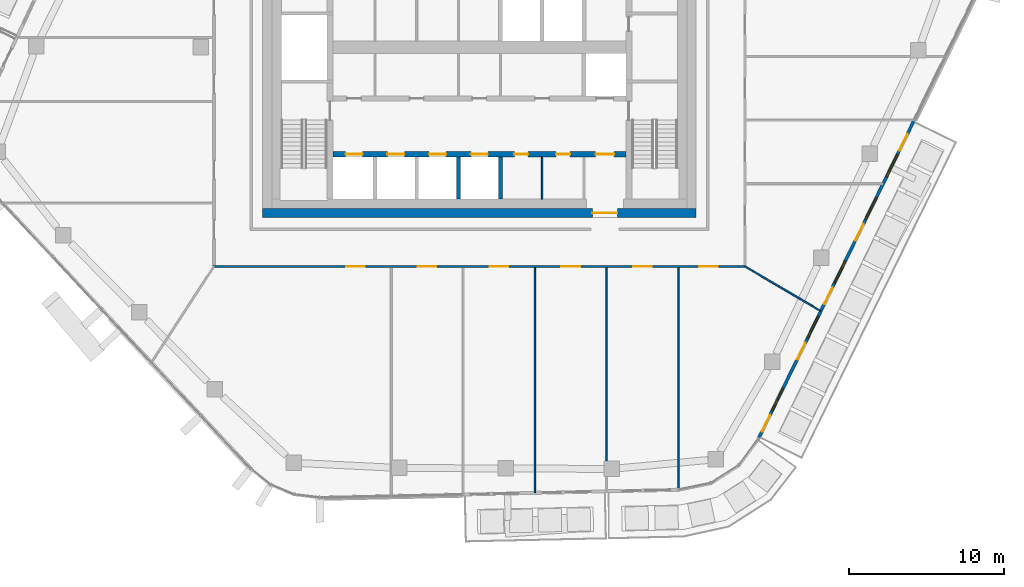
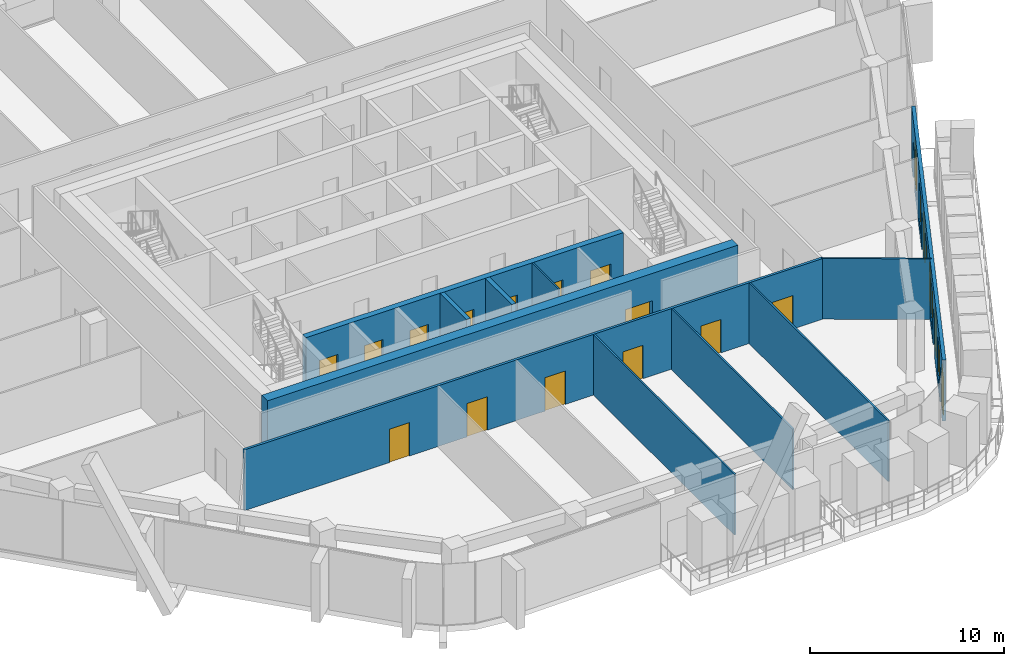
# One storey, part 13 of 23: 19 doors, 11 walls, 5 windows, 24 openings.
"""IFC4 building model written with IfcOpenShell, lengths in metres."""

from ifc_helpers import new_model, si_unit, direction, frame, frame_2d, origin, place, context, subcontext, project, spatial, rectangle, extrude, material, layer, layer_set, type_object, element, fill, save


model = new_model("IFC4")

# Units and contexts
model_context = context("Model", 3, precision=1e-05, world=origin(), true_north=direction((0.0, 1.0)))
body_context = subcontext(model_context, "Body", "Model", "MODEL_VIEW")
ifc_project = project(units=[si_unit("LENGTHUNIT", "METRE"), si_unit("AREAUNIT", "SQUARE_METRE"), si_unit("VOLUMEUNIT", "CUBIC_METRE"), si_unit("PLANEANGLEUNIT", "RADIAN"), si_unit("MASSUNIT", "GRAM", prefix="KILO")], contexts=[model_context])

# Site, building, storey
site_placement = place(None, origin())
site = spatial("IfcSite", under=ifc_project, at=site_placement, CompositionType="ELEMENT")
building_placement = place(site_placement, origin())
building = spatial("IfcBuilding", under=site, at=building_placement, Name="Dongbaek Canopy Tower", CompositionType="ELEMENT")
storey_placement = place(building_placement, frame((0.0, 0.0, 340.39990234375)))
storey = spatial("IfcBuildingStorey", under=building, at=storey_placement, Name="L73", CompositionType="ELEMENT", Elevation=340.39990234375)

# Wall, openings, doors
ifc_material_1 = material(Name="Concrete C60/75", Category="concrete")
ifc_layer_1 = layer(ifc_material_1, 0.35009765625)
ifc_layer_set_1 = layer_set([ifc_layer_1], Name="Core lobby wall 350 Concrete C60/75")
wall_type_1 = type_object("IfcWallType", Name="Core lobby wall 350 Concrete C60/75", PredefinedType="SHEAR", material=ifc_layer_set_1)
wall_1_placement = place(storey_placement, frame((9.449951171875, -6.89990234375, 0.0), z_axis=(0.0, 0.0, 1.0), x_axis=(-1.0, 0.0, 0.0)))
wall_1 = element("IfcWall", 1, at=wall_1_placement, inside=storey, type_object=wall_type_1, Name="Core wall", PredefinedType="SHEAR", context=body_context, shape_type="SweptSolid", body=[
    extrude(rectangle(XDim=18.89990234375, YDim=0.35009765625, at=frame_2d((9.449951171875, 0.0))), origin(), (0.0, 0.0, 1.0), 3.820068359375),
])
opening_1_placement = place(wall_1_placement, frame((17.0, 0.0, 0.0)))
opening_1 = element("IfcOpeningElement", 2, at=opening_1_placement, cuts=wall_1, Name="Opening L73-D034", PredefinedType="OPENING", context=body_context, shape_type="SweptSolid", body=[
    extrude(rectangle(XDim=1.10009765625, YDim=2.10009765625, at=frame_2d((0.550048828125, 1.050048828125))), frame((0.0, 0.18505859375, 0.0), z_axis=(0.0, -1.0, 0.0), x_axis=(1.0, 0.0, 0.0)), (0.0, 0.0, 1.0), 0.3701171875),
])
opening_2_placement = place(wall_1_placement, frame((14.300048828125, 0.0, 0.0)))
opening_2 = element("IfcOpeningElement", 3, at=opening_2_placement, cuts=wall_1, Name="Opening L73-D035", PredefinedType="OPENING", context=body_context, shape_type="SweptSolid", body=[
    extrude(rectangle(XDim=1.10009765625, YDim=2.10009765625, at=frame_2d((0.550048828125, 1.050048828125))), frame((0.0, 0.18505859375, 0.0), z_axis=(0.0, -1.0, 0.0), x_axis=(1.0, 0.0, 0.0)), (0.0, 0.0, 1.0), 0.3701171875),
])
opening_3_placement = place(wall_1_placement, frame((11.60009765625, 0.0, 0.0)))
opening_3 = element("IfcOpeningElement", 4, at=opening_3_placement, cuts=wall_1, Name="Opening L73-D036", PredefinedType="OPENING", context=body_context, shape_type="SweptSolid", body=[
    extrude(rectangle(XDim=1.10009765625, YDim=2.10009765625, at=frame_2d((0.550048828125, 1.050048828125))), frame((0.0, 0.18505859375, 0.0), z_axis=(0.0, -1.0, 0.0), x_axis=(1.0, 0.0, 0.0)), (0.0, 0.0, 1.0), 0.3701171875),
])
opening_4_placement = place(wall_1_placement, frame((8.89990234375, 0.0, 0.0)))
opening_4 = element("IfcOpeningElement", 5, at=opening_4_placement, cuts=wall_1, Name="Opening L73-D037", PredefinedType="OPENING", context=body_context, shape_type="SweptSolid", body=[
    extrude(rectangle(XDim=1.10009765625, YDim=2.10009765625, at=frame_2d((0.550048828125, 1.050048828125))), frame((0.0, 0.18505859375, 0.0), z_axis=(0.0, -1.0, 0.0), x_axis=(1.0, 0.0, 0.0)), (0.0, 0.0, 1.0), 0.3701171875),
])
opening_5_placement = place(wall_1_placement, frame((0.75, 0.0, 0.0)))
opening_5 = element("IfcOpeningElement", 6, at=opening_5_placement, cuts=wall_1, Name="Opening L73-D039", PredefinedType="OPENING", context=body_context, shape_type="SweptSolid", body=[
    extrude(rectangle(XDim=1.199951171875, YDim=2.10009765625, at=frame_2d((0.60009765625, 1.050048828125))), frame((0.0, 0.18505859375, 0.0), z_axis=(0.0, -1.0, 0.0), x_axis=(1.0, 0.0, 0.0)), (0.0, 0.0, 1.0), 0.3701171875),
])
opening_6_placement = place(wall_1_placement, frame((6.300048828125, 0.0, 0.0)))
opening_6 = element("IfcOpeningElement", 7, at=opening_6_placement, cuts=wall_1, Name="Opening L73-D050", PredefinedType="OPENING", context=body_context, shape_type="SweptSolid", body=[
    extrude(rectangle(XDim=0.89990234375, YDim=2.10009765625, at=frame_2d((0.449951171875, 1.050048828125))), frame((0.0, 0.18505859375, 0.0), z_axis=(0.0, -1.0, 0.0), x_axis=(1.0, 0.0, 0.0)), (0.0, 0.0, 1.0), 0.3701171875),
])
opening_7_placement = place(wall_1_placement, frame((3.60009765625, 0.0, 0.0)))
opening_7 = element("IfcOpeningElement", 8, at=opening_7_placement, cuts=wall_1, Name="Opening L73-D051", PredefinedType="OPENING", context=body_context, shape_type="SweptSolid", body=[
    extrude(rectangle(XDim=0.89990234375, YDim=2.10009765625, at=frame_2d((0.449951171875, 1.050048828125))), frame((0.0, 0.18505859375, 0.0), z_axis=(0.0, -1.0, 0.0), x_axis=(1.0, 0.0, 0.0)), (0.0, 0.0, 1.0), 0.3701171875),
])
ifc_material_2 = material(Name="Steel", Category="steel")
door_type_1 = type_object("IfcDoorType", Name="Core room door 900 x 2100", OperationType="SINGLE_SWING_LEFT", PredefinedType="DOOR", material=ifc_material_2)
door_1_placement = place(opening_6_placement, origin())
door_1 = element("IfcDoor", 9, at=door_1_placement, inside=storey, type_object=door_type_1, Name="Door L73-D050", OperationType="SINGLE_SWING_RIGHT", OverallHeight=2.10009765625, OverallWidth=0.89990234375, PredefinedType="DOOR", context=body_context, shape_type="SweptSolid", body=[
    extrude(rectangle(XDim=0.89990234375, YDim=2.10009765625, at=frame_2d((0.449951171875, 1.050048828125))), frame((0.0, 0.02490234375, 0.0), z_axis=(0.0, -1.0, 0.0), x_axis=(1.0, 0.0, 0.0)), (0.0, 0.0, 1.0), 0.050048828125),
])
fill(opening_6, door_1)
door_2_placement = place(opening_7_placement, origin())
door_2 = element("IfcDoor", 10, at=door_2_placement, inside=storey, type_object=door_type_1, Name="Door L73-D051", OperationType="SINGLE_SWING_LEFT", OverallHeight=2.10009765625, OverallWidth=0.89990234375, PredefinedType="DOOR", context=body_context, shape_type="SweptSolid", body=[
    extrude(rectangle(XDim=0.89990234375, YDim=2.10009765625, at=frame_2d((0.449951171875, 1.050048828125))), frame((0.0, 0.02490234375, 0.0), z_axis=(0.0, -1.0, 0.0), x_axis=(1.0, 0.0, 0.0)), (0.0, 0.0, 1.0), 0.050048828125),
])
fill(opening_7, door_2)
ifc_material_3 = material(Name="Steel", Category="steel")
door_type_2 = type_object("IfcDoorType", Name="Fire lobby door 1200 x 2100", OperationType="SINGLE_SWING_LEFT", PredefinedType="DOOR", material=ifc_material_3)
door_3_placement = place(opening_5_placement, origin())
door_3 = element("IfcDoor", 11, at=door_3_placement, inside=storey, type_object=door_type_2, Name="Door L73-D039", OperationType="SINGLE_SWING_LEFT", OverallHeight=2.10009765625, OverallWidth=1.199951171875, PredefinedType="DOOR", context=body_context, shape_type="SweptSolid", body=[
    extrude(rectangle(XDim=1.199951171875, YDim=2.10009765625, at=frame_2d((0.60009765625, 1.050048828125))), frame((0.0, 0.02490234375, 0.0), z_axis=(0.0, -1.0, 0.0), x_axis=(1.0, 0.0, 0.0)), (0.0, 0.0, 1.0), 0.050048828125),
])
fill(opening_5, door_3)
ifc_material_4 = material(Name="Stainless steel", Category="steel")
door_type_3 = type_object("IfcDoorType", Name="Lift landing door 1100 x 2100", OperationType="DOUBLE_DOOR_SLIDING", PredefinedType="DOOR", material=ifc_material_4)
door_4_placement = place(opening_1_placement, origin())
door_4 = element("IfcDoor", 12, at=door_4_placement, inside=storey, type_object=door_type_3, Name="Landing door HR1", OperationType="DOUBLE_DOOR_SLIDING", OverallHeight=2.10009765625, OverallWidth=1.10009765625, PredefinedType="DOOR", context=body_context, shape_type="SweptSolid", body=[
    extrude(rectangle(XDim=1.10009765625, YDim=2.10009765625, at=frame_2d((0.550048828125, 1.050048828125))), frame((0.0, 0.02490234375, 0.0), z_axis=(0.0, -1.0, 0.0), x_axis=(1.0, 0.0, 0.0)), (0.0, 0.0, 1.0), 0.050048828125),
])
fill(opening_1, door_4)
door_5_placement = place(opening_2_placement, origin())
door_5 = element("IfcDoor", 13, at=door_5_placement, inside=storey, type_object=door_type_3, Name="Landing door HR2", OperationType="DOUBLE_DOOR_SLIDING", OverallHeight=2.10009765625, OverallWidth=1.10009765625, PredefinedType="DOOR", context=body_context, shape_type="SweptSolid", body=[
    extrude(rectangle(XDim=1.10009765625, YDim=2.10009765625, at=frame_2d((0.550048828125, 1.050048828125))), frame((0.0, 0.02490234375, 0.0), z_axis=(0.0, -1.0, 0.0), x_axis=(1.0, 0.0, 0.0)), (0.0, 0.0, 1.0), 0.050048828125),
])
fill(opening_2, door_5)
door_6_placement = place(opening_3_placement, origin())
door_6 = element("IfcDoor", 14, at=door_6_placement, inside=storey, type_object=door_type_3, Name="Landing door HR3", OperationType="DOUBLE_DOOR_SLIDING", OverallHeight=2.10009765625, OverallWidth=1.10009765625, PredefinedType="DOOR", context=body_context, shape_type="SweptSolid", body=[
    extrude(rectangle(XDim=1.10009765625, YDim=2.10009765625, at=frame_2d((0.550048828125, 1.050048828125))), frame((0.0, 0.02490234375, 0.0), z_axis=(0.0, -1.0, 0.0), x_axis=(1.0, 0.0, 0.0)), (0.0, 0.0, 1.0), 0.050048828125),
])
fill(opening_3, door_6)
door_7_placement = place(opening_4_placement, origin())
door_7 = element("IfcDoor", 15, at=door_7_placement, inside=storey, type_object=door_type_3, Name="Landing door HR4", OperationType="DOUBLE_DOOR_SLIDING", OverallHeight=2.10009765625, OverallWidth=1.10009765625, PredefinedType="DOOR", context=body_context, shape_type="SweptSolid", body=[
    extrude(rectangle(XDim=1.10009765625, YDim=2.10009765625, at=frame_2d((0.550048828125, 1.050048828125))), frame((0.0, 0.02490234375, 0.0), z_axis=(0.0, -1.0, 0.0), x_axis=(1.0, 0.0, 0.0)), (0.0, 0.0, 1.0), 0.050048828125),
])
fill(opening_4, door_7)

# Wall, opening, door
ifc_material_5 = material(Name="Concrete C80/95", Category="concrete")
ifc_layer_2 = layer(ifc_material_5, 0.60009765625)
ifc_layer_set_2 = layer_set([ifc_layer_2], Name="Core outer wall 600 Concrete C80/95")
wall_type_2 = type_object("IfcWallType", Name="Core outer wall 600 Concrete C80/95", PredefinedType="SHEAR", material=ifc_layer_set_2)
wall_2_placement = place(storey_placement, frame((14.0, -10.699951171875, 0.0), z_axis=(0.0, 0.0, 1.0), x_axis=(-1.0, 0.0, 0.0)))
wall_2 = element("IfcWall", 16, at=wall_2_placement, inside=storey, type_object=wall_type_2, Name="Core wall", PredefinedType="SHEAR", context=body_context, shape_type="SweptSolid", body=[
    extrude(rectangle(XDim=28.0, YDim=0.60009765625, at=frame_2d((14.0, 0.0))), origin(), (0.0, 0.0, 1.0), 3.820068359375),
])
opening_8_placement = place(wall_2_placement, frame((5.10009765625, 0.0, 0.0)))
opening_8 = element("IfcOpeningElement", 17, at=opening_8_placement, cuts=wall_2, Name="Opening L73-D038", PredefinedType="OPENING", context=body_context, shape_type="SweptSolid", body=[
    extrude(rectangle(XDim=1.60009765625, YDim=2.10009765625, at=frame_2d((0.800048828125, 1.050048828125))), frame((0.0, 0.31005859375, 0.0), z_axis=(0.0, -1.0, 0.0), x_axis=(1.0, 0.0, 0.0)), (0.0, 0.0, 1.0), 0.6201171875),
])
ifc_material_6 = material(Name="Steel", Category="steel")
door_type_4 = type_object("IfcDoorType", Name="Core exit door 1600 x 2100", OperationType="DOUBLE_DOOR_SINGLE_SWING", PredefinedType="DOOR", material=ifc_material_6)
door_8_placement = place(opening_8_placement, origin())
door_8 = element("IfcDoor", 18, at=door_8_placement, inside=storey, type_object=door_type_4, Name="Core exit door", OperationType="DOUBLE_DOOR_SINGLE_SWING", OverallHeight=2.10009765625, OverallWidth=1.60009765625, PredefinedType="DOOR", context=body_context, shape_type="SweptSolid", body=[
    extrude(rectangle(XDim=1.60009765625, YDim=2.10009765625, at=frame_2d((0.800048828125, 1.050048828125))), frame((0.0, 0.02490234375, 0.0), z_axis=(0.0, -1.0, 0.0), x_axis=(1.0, 0.0, 0.0)), (0.0, 0.0, 1.0), 0.050048828125),
])
fill(opening_8, door_8)

# Wall, openings, doors
ifc_material_7 = material(Name="Gypsum board partition, steel stud, 2 x 15 mm fire board", Category="steel")
ifc_layer_3 = layer(ifc_material_7, 0.14990234375)
ifc_layer_set_3 = layer_set([ifc_layer_3], Name="Fire-rated partition 150 gypsum board")
wall_type_3 = type_object("IfcWallType", Name="Fire-rated partition 150 gypsum board", PredefinedType="PARTITIONING", material=ifc_layer_set_3)
wall_3_placement = place(storey_placement, frame((17.22509765625, -14.14990234375, 0.0), z_axis=(0.0, 0.0, 1.0), x_axis=(-1.0, 0.0, 0.0)))
wall_3 = element("IfcWall", 19, at=wall_3_placement, inside=storey, type_object=wall_type_3, Name="Corridor partition", PredefinedType="PARTITIONING", context=body_context, shape_type="SweptSolid", body=[
    extrude(rectangle(XDim=34.4501953125, YDim=0.14990234375, at=frame_2d((17.22509765625, 0.0))), origin(), (0.0, 0.0, 1.0), 3.820068359375),
])
opening_9_placement = place(wall_3_placement, frame((24.638671875, 0.0, 0.0)))
opening_9 = element("IfcOpeningElement", 20, at=opening_9_placement, cuts=wall_3, Name="Opening L73-D004", PredefinedType="OPENING", context=body_context, shape_type="SweptSolid", body=[
    extrude(rectangle(XDim=1.199951171875, YDim=2.10009765625, at=frame_2d((0.60009765625, 1.050048828125))), frame((0.0, 0.0849609375, 0.0), z_axis=(0.0, -1.0, 0.0), x_axis=(1.0, 0.0, 0.0)), (0.0, 0.0, 1.0), 0.169921875),
])
opening_10_placement = place(wall_3_placement, frame((20.0048828125, 0.0, 0.0)))
opening_10 = element("IfcOpeningElement", 21, at=opening_10_placement, cuts=wall_3, Name="Opening L73-D005", PredefinedType="OPENING", context=body_context, shape_type="SweptSolid", body=[
    extrude(rectangle(XDim=1.199951171875, YDim=2.10009765625, at=frame_2d((0.60009765625, 1.050048828125))), frame((0.0, 0.0849609375, 0.0), z_axis=(0.0, -1.0, 0.0), x_axis=(1.0, 0.0, 0.0)), (0.0, 0.0, 1.0), 0.169921875),
])
opening_11_placement = place(wall_3_placement, frame((15.367431640625, 0.0, 0.0)))
opening_11 = element("IfcOpeningElement", 22, at=opening_11_placement, cuts=wall_3, Name="Opening L73-D006", PredefinedType="OPENING", context=body_context, shape_type="SweptSolid", body=[
    extrude(rectangle(XDim=1.199951171875, YDim=2.10009765625, at=frame_2d((0.60009765625, 1.050048828125))), frame((0.0, 0.0849609375, 0.0), z_axis=(0.0, -1.0, 0.0), x_axis=(1.0, 0.0, 0.0)), (0.0, 0.0, 1.0), 0.169921875),
])
opening_12_placement = place(wall_3_placement, frame((10.72998046875, 0.0, 0.0)))
opening_12 = element("IfcOpeningElement", 23, at=opening_12_placement, cuts=wall_3, Name="Opening L73-D007", PredefinedType="OPENING", context=body_context, shape_type="SweptSolid", body=[
    extrude(rectangle(XDim=1.199951171875, YDim=2.10009765625, at=frame_2d((0.60009765625, 1.050048828125))), frame((0.0, 0.0849609375, 0.0), z_axis=(0.0, -1.0, 0.0), x_axis=(1.0, 0.0, 0.0)), (0.0, 0.0, 1.0), 0.169921875),
])
opening_13_placement = place(wall_3_placement, frame((6.09716796875, 0.0, 0.0)))
opening_13 = element("IfcOpeningElement", 24, at=opening_13_placement, cuts=wall_3, Name="Opening L73-D008", PredefinedType="OPENING", context=body_context, shape_type="SweptSolid", body=[
    extrude(rectangle(XDim=1.199951171875, YDim=2.10009765625, at=frame_2d((0.60009765625, 1.050048828125))), frame((0.0, 0.0849609375, 0.0), z_axis=(0.0, -1.0, 0.0), x_axis=(1.0, 0.0, 0.0)), (0.0, 0.0, 1.0), 0.169921875),
])
opening_14_placement = place(wall_3_placement, frame((1.82958984375, 0.0, 0.0)))
opening_14 = element("IfcOpeningElement", 25, at=opening_14_placement, cuts=wall_3, Name="Opening L73-D009", PredefinedType="OPENING", context=body_context, shape_type="SweptSolid", body=[
    extrude(rectangle(XDim=1.199951171875, YDim=2.10009765625, at=frame_2d((0.60009765625, 1.050048828125))), frame((0.0, 0.0849609375, 0.0), z_axis=(0.0, -1.0, 0.0), x_axis=(1.0, 0.0, 0.0)), (0.0, 0.0, 1.0), 0.169921875),
])
ifc_material_8 = material(Name="Timber veneered door leaf", Category="wood")
door_type_5 = type_object("IfcDoorType", Name="Room door 1200 x 2100", OperationType="SINGLE_SWING_LEFT", PredefinedType="DOOR", material=ifc_material_8)
door_9_placement = place(opening_9_placement, origin())
door_9 = element("IfcDoor", 26, at=door_9_placement, inside=storey, type_object=door_type_5, Name="Door L73-D004", OperationType="SINGLE_SWING_LEFT", OverallHeight=2.10009765625, OverallWidth=1.199951171875, PredefinedType="DOOR", context=body_context, shape_type="SweptSolid", body=[
    extrude(rectangle(XDim=1.199951171875, YDim=2.10009765625, at=frame_2d((0.60009765625, 1.050048828125))), frame((0.0, 0.02490234375, 0.0), z_axis=(0.0, -1.0, 0.0), x_axis=(1.0, 0.0, 0.0)), (0.0, 0.0, 1.0), 0.050048828125),
])
fill(opening_9, door_9)
door_10_placement = place(opening_10_placement, origin())
door_10 = element("IfcDoor", 27, at=door_10_placement, inside=storey, type_object=door_type_5, Name="Door L73-D005", OperationType="SINGLE_SWING_RIGHT", OverallHeight=2.10009765625, OverallWidth=1.199951171875, PredefinedType="DOOR", context=body_context, shape_type="SweptSolid", body=[
    extrude(rectangle(XDim=1.199951171875, YDim=2.10009765625, at=frame_2d((0.60009765625, 1.050048828125))), frame((0.0, 0.02490234375, 0.0), z_axis=(0.0, -1.0, 0.0), x_axis=(1.0, 0.0, 0.0)), (0.0, 0.0, 1.0), 0.050048828125),
])
fill(opening_10, door_10)
door_11_placement = place(opening_11_placement, origin())
door_11 = element("IfcDoor", 28, at=door_11_placement, inside=storey, type_object=door_type_5, Name="Door L73-D006", OperationType="SINGLE_SWING_LEFT", OverallHeight=2.10009765625, OverallWidth=1.199951171875, PredefinedType="DOOR", context=body_context, shape_type="SweptSolid", body=[
    extrude(rectangle(XDim=1.199951171875, YDim=2.10009765625, at=frame_2d((0.60009765625, 1.050048828125))), frame((0.0, 0.02490234375, 0.0), z_axis=(0.0, -1.0, 0.0), x_axis=(1.0, 0.0, 0.0)), (0.0, 0.0, 1.0), 0.050048828125),
])
fill(opening_11, door_11)
door_12_placement = place(opening_12_placement, origin())
door_12 = element("IfcDoor", 29, at=door_12_placement, inside=storey, type_object=door_type_5, Name="Door L73-D007", OperationType="SINGLE_SWING_RIGHT", OverallHeight=2.10009765625, OverallWidth=1.199951171875, PredefinedType="DOOR", context=body_context, shape_type="SweptSolid", body=[
    extrude(rectangle(XDim=1.199951171875, YDim=2.10009765625, at=frame_2d((0.60009765625, 1.050048828125))), frame((0.0, 0.02490234375, 0.0), z_axis=(0.0, -1.0, 0.0), x_axis=(1.0, 0.0, 0.0)), (0.0, 0.0, 1.0), 0.050048828125),
])
fill(opening_12, door_12)
door_13_placement = place(opening_13_placement, origin())
door_13 = element("IfcDoor", 30, at=door_13_placement, inside=storey, type_object=door_type_5, Name="Door L73-D008", OperationType="SINGLE_SWING_LEFT", OverallHeight=2.10009765625, OverallWidth=1.199951171875, PredefinedType="DOOR", context=body_context, shape_type="SweptSolid", body=[
    extrude(rectangle(XDim=1.199951171875, YDim=2.10009765625, at=frame_2d((0.60009765625, 1.050048828125))), frame((0.0, 0.02490234375, 0.0), z_axis=(0.0, -1.0, 0.0), x_axis=(1.0, 0.0, 0.0)), (0.0, 0.0, 1.0), 0.050048828125),
])
fill(opening_13, door_13)
door_14_placement = place(opening_14_placement, origin())
door_14 = element("IfcDoor", 31, at=door_14_placement, inside=storey, type_object=door_type_5, Name="Door L73-D009", OperationType="SINGLE_SWING_RIGHT", OverallHeight=2.10009765625, OverallWidth=1.199951171875, PredefinedType="DOOR", context=body_context, shape_type="SweptSolid", body=[
    extrude(rectangle(XDim=1.199951171875, YDim=2.10009765625, at=frame_2d((0.60009765625, 1.050048828125))), frame((0.0, 0.02490234375, 0.0), z_axis=(0.0, -1.0, 0.0), x_axis=(1.0, 0.0, 0.0)), (0.0, 0.0, 1.0), 0.050048828125),
])
fill(opening_14, door_14)

# Walls
ifc_material_9 = material(Name="Concrete C40/50", Category="concrete")
ifc_layer_4 = layer(ifc_material_9, 0.25)
ifc_layer_set_4 = layer_set([ifc_layer_4], Name="Lift shaft wall 250 Concrete C40/50")
wall_type_4 = type_object("IfcWallType", Name="Lift shaft wall 250 Concrete C40/50", PredefinedType="SOLIDWALL", material=ifc_layer_set_4)
for number, where, z_axis, x_axis, name in (
    (32, (1.35009765625, -9.800048828125, 0.0), (0.0, 0.0, 1.0), (0.0, 1.0, 0.0), "Lift shaft wall"),
    (33, (-1.35009765625, -9.800048828125, 0.0), (0.0, 0.0, 1.0), (0.0, 1.0, 0.0), "Lift shaft wall"),
):
    element("IfcWall", number, at=place(storey_placement, frame(where, z_axis=z_axis, x_axis=x_axis)), inside=storey, type_object=wall_type_4, Name=name, PredefinedType="SOLIDWALL", context=body_context, shape_type="SweptSolid", body=[
        extrude(rectangle(XDim=2.72509765625, YDim=0.25, at=frame_2d((1.362548828125, 0.0))), origin(), (0.0, 0.0, 1.0), 3.820068359375),
    ])
ifc_material_10 = material(Name="Gypsum board partition, steel stud, 2 x 12.5 mm board", Category="steel")
ifc_layer_5 = layer(ifc_material_10, 0.10009765625)
ifc_layer_set_5 = layer_set([ifc_layer_5], Name="Partition 100 gypsum board")
wall_type_5 = type_object("IfcWallType", Name="Partition 100 gypsum board", PredefinedType="PARTITIONING", material=ifc_layer_set_5)
wall_4_placement = place(storey_placement, frame((12.842041015625, -28.55078125, 0.0), z_axis=(0.0, 0.0, 1.0), x_axis=(0.0, 1.0, 0.0)))
element("IfcWall", 34, at=wall_4_placement, inside=storey, type_object=wall_type_5, Name="Partition", PredefinedType="PARTITIONING", context=body_context, shape_type="SweptSolid", body=[
    extrude(rectangle(XDim=14.32568359375, YDim=0.10009765625, at=frame_2d((7.162841796875, 0.0))), origin(), (0.0, 0.0, 1.0), 3.820068359375),
])
wall_5_placement = place(storey_placement, frame((8.214111328125, -26.72705078125, 0.0), z_axis=(0.0, 0.0, 1.0), x_axis=(0.0, 1.0, 0.0)))
element("IfcWall", 35, at=wall_5_placement, inside=storey, type_object=wall_type_5, Name="Partition", PredefinedType="PARTITIONING", context=body_context, shape_type="SweptSolid", body=[
    extrude(rectangle(XDim=12.501953125, YDim=0.10009765625, at=frame_2d((6.2509765625, 0.0))), origin(), (0.0, 0.0, 1.0), 3.820068359375),
])
wall_6_placement = place(storey_placement, frame((3.575927734375, -28.752197265625, 0.0), z_axis=(0.0, 0.0, 1.0), x_axis=(0.0, 1.0, 0.0)))
element("IfcWall", 36, at=wall_6_placement, inside=storey, type_object=wall_type_5, Name="Partition", PredefinedType="PARTITIONING", context=body_context, shape_type="SweptSolid", body=[
    extrude(rectangle(XDim=14.527099609375, YDim=0.10009765625, at=frame_2d((7.263671875, 0.0))), origin(), (0.0, 0.0, 1.0), 3.820068359375),
])
wall_7_placement = place(storey_placement, frame((17.150146484375, -14.14990234375, 0.0), z_axis=(0.0, 0.0, 1.0), x_axis=(0.861895432603, -0.507086051137, 0.0)))
element("IfcWall", 37, at=wall_7_placement, inside=storey, type_object=wall_type_5, Name="Partition", PredefinedType="PARTITIONING", context=body_context, shape_type="SweptSolid", body=[
    extrude(rectangle(XDim=5.664306640625, YDim=0.10009765625, at=frame_2d((2.83203125, 0.0))), origin(), (0.0, 0.0, 1.0), 3.820068359375),
])
wall_8_placement = place(storey_placement, frame((4.050048828125, -9.800048828125, 0.0), z_axis=(0.0, 0.0, 1.0), x_axis=(0.0, 1.0, 0.0)))
element("IfcWall", 38, at=wall_8_placement, inside=storey, type_object=wall_type_5, Name="Core partition", PredefinedType="PARTITIONING", context=body_context, shape_type="SweptSolid", body=[
    extrude(rectangle(XDim=2.72509765625, YDim=0.10009765625, at=frame_2d((1.362548828125, 0.0))), origin(), (0.0, 0.0, 1.0), 3.820068359375),
])

# Wall, openings, doors, windows
ifc_material_11 = material(Name="Aluminium window wall", Category="aluminium")
ifc_layer_6 = layer(ifc_material_11, 0.199951171875)
ifc_layer_set_6 = layer_set([ifc_layer_6], Name="Window wall 200")
wall_type_6 = type_object("IfcWallType", Name="Window wall 200", PredefinedType="SOLIDWALL", material=ifc_layer_set_6)
wall_9_placement = place(storey_placement, frame((18.02734375, -25.25634765625, 0.0), z_axis=(0.0, 0.0, 1.0), x_axis=(0.439336781314, 0.898322432418, 0.0)))
wall_9 = element("IfcWall", 39, at=wall_9_placement, inside=storey, type_object=wall_type_6, Name="Window wall L73 5", PredefinedType="SOLIDWALL", context=body_context, shape_type="SweptSolid", body=[
    extrude(rectangle(XDim=22.88720703125, YDim=0.199951171875, at=frame_2d((11.443603515625, 0.0))), origin(), (0.0, 0.0, 1.0), 3.820068359375),
])
opening_15_placement = place(wall_9_placement, frame((2.0, 0.0, 0.60009765625)))
opening_15 = element("IfcOpeningElement", 40, at=opening_15_placement, cuts=wall_9, Name="Opening W1", PredefinedType="OPENING", context=body_context, shape_type="SweptSolid", body=[
    extrude(rectangle(XDim=1.60009765625, YDim=2.39990234375, at=frame_2d((0.800048828125, 1.199951171875))), frame((0.0, 0.10986328125, 0.0), z_axis=(0.0, -1.0, 0.0), x_axis=(1.0, 0.0, 0.0)), (0.0, 0.0, 1.0), 0.219970703125),
])
opening_16_placement = place(wall_9_placement, frame((0.5, 0.0, 0.0)))
opening_16 = element("IfcOpeningElement", 41, at=opening_16_placement, cuts=wall_9, Name="Opening L73-B15", PredefinedType="OPENING", context=body_context, shape_type="SweptSolid", body=[
    extrude(rectangle(XDim=1.199951171875, YDim=2.39990234375, at=frame_2d((0.60009765625, 1.199951171875))), frame((0.0, 0.10986328125, 0.0), z_axis=(0.0, -1.0, 0.0), x_axis=(1.0, 0.0, 0.0)), (0.0, 0.0, 1.0), 0.219970703125),
])
opening_17_placement = place(wall_9_placement, frame((7.177490234375, 0.0, 0.60009765625)))
opening_17 = element("IfcOpeningElement", 42, at=opening_17_placement, cuts=wall_9, Name="Opening W1", PredefinedType="OPENING", context=body_context, shape_type="SweptSolid", body=[
    extrude(rectangle(XDim=1.60009765625, YDim=2.39990234375, at=frame_2d((0.800048828125, 1.199951171875))), frame((0.0, 0.10986328125, 0.0), z_axis=(0.0, -1.0, 0.0), x_axis=(1.0, 0.0, 0.0)), (0.0, 0.0, 1.0), 0.219970703125),
])
opening_18_placement = place(wall_9_placement, frame((5.677490234375, 0.0, 0.0)))
opening_18 = element("IfcOpeningElement", 43, at=opening_18_placement, cuts=wall_9, Name="Opening L73-B16", PredefinedType="OPENING", context=body_context, shape_type="SweptSolid", body=[
    extrude(rectangle(XDim=1.199951171875, YDim=2.39990234375, at=frame_2d((0.60009765625, 1.199951171875))), frame((0.0, 0.10986328125, 0.0), z_axis=(0.0, -1.0, 0.0), x_axis=(1.0, 0.0, 0.0)), (0.0, 0.0, 1.0), 0.219970703125),
])
opening_19_placement = place(wall_9_placement, frame((11.15478515625, 0.0, 0.60009765625)))
opening_19 = element("IfcOpeningElement", 44, at=opening_19_placement, cuts=wall_9, Name="Opening W1", PredefinedType="OPENING", context=body_context, shape_type="SweptSolid", body=[
    extrude(rectangle(XDim=1.60009765625, YDim=2.39990234375, at=frame_2d((0.800048828125, 1.199951171875))), frame((0.0, 0.10986328125, 0.0), z_axis=(0.0, -1.0, 0.0), x_axis=(1.0, 0.0, 0.0)), (0.0, 0.0, 1.0), 0.219970703125),
])
opening_20_placement = place(wall_9_placement, frame((9.65478515625, 0.0, 0.0)))
opening_20 = element("IfcOpeningElement", 45, at=opening_20_placement, cuts=wall_9, Name="Opening L73-B17", PredefinedType="OPENING", context=body_context, shape_type="SweptSolid", body=[
    extrude(rectangle(XDim=1.199951171875, YDim=2.39990234375, at=frame_2d((0.60009765625, 1.199951171875))), frame((0.0, 0.10986328125, 0.0), z_axis=(0.0, -1.0, 0.0), x_axis=(1.0, 0.0, 0.0)), (0.0, 0.0, 1.0), 0.219970703125),
])
opening_21_placement = place(wall_9_placement, frame((15.732177734375, 0.0, 0.60009765625)))
opening_21 = element("IfcOpeningElement", 46, at=opening_21_placement, cuts=wall_9, Name="Opening W1", PredefinedType="OPENING", context=body_context, shape_type="SweptSolid", body=[
    extrude(rectangle(XDim=1.60009765625, YDim=2.39990234375, at=frame_2d((0.800048828125, 1.199951171875))), frame((0.0, 0.10986328125, 0.0), z_axis=(0.0, -1.0, 0.0), x_axis=(1.0, 0.0, 0.0)), (0.0, 0.0, 1.0), 0.219970703125),
])
opening_22_placement = place(wall_9_placement, frame((14.232177734375, 0.0, 0.0)))
opening_22 = element("IfcOpeningElement", 47, at=opening_22_placement, cuts=wall_9, Name="Opening L73-B18", PredefinedType="OPENING", context=body_context, shape_type="SweptSolid", body=[
    extrude(rectangle(XDim=1.199951171875, YDim=2.39990234375, at=frame_2d((0.60009765625, 1.199951171875))), frame((0.0, 0.10986328125, 0.0), z_axis=(0.0, -1.0, 0.0), x_axis=(1.0, 0.0, 0.0)), (0.0, 0.0, 1.0), 0.219970703125),
])
opening_23_placement = place(wall_9_placement, frame((18.8095703125, 0.0, 0.60009765625)))
opening_23 = element("IfcOpeningElement", 48, at=opening_23_placement, cuts=wall_9, Name="Opening W1", PredefinedType="OPENING", context=body_context, shape_type="SweptSolid", body=[
    extrude(rectangle(XDim=1.60009765625, YDim=2.39990234375, at=frame_2d((0.800048828125, 1.199951171875))), frame((0.0, 0.10986328125, 0.0), z_axis=(0.0, -1.0, 0.0), x_axis=(1.0, 0.0, 0.0)), (0.0, 0.0, 1.0), 0.219970703125),
])
opening_24_placement = place(wall_9_placement, frame((20.709716796875, 0.0, 0.0)))
opening_24 = element("IfcOpeningElement", 49, at=opening_24_placement, cuts=wall_9, Name="Opening L73-B19", PredefinedType="OPENING", context=body_context, shape_type="SweptSolid", body=[
    extrude(rectangle(XDim=1.199951171875, YDim=2.39990234375, at=frame_2d((0.60009765625, 1.199951171875))), frame((0.0, 0.10986328125, 0.0), z_axis=(0.0, -1.0, 0.0), x_axis=(1.0, 0.0, 0.0)), (0.0, 0.0, 1.0), 0.219970703125),
])
ifc_material_12 = material(Name="Clear glazing in aluminium frame", Category="aluminium")
door_type_6 = type_object("IfcDoorType", Name="Balcony door BD1 1200 x 2400", OperationType="SLIDING_TO_LEFT", PredefinedType="DOOR", material=ifc_material_12)
door_15_placement = place(opening_16_placement, origin())
door_15 = element("IfcDoor", 50, at=door_15_placement, inside=storey, type_object=door_type_6, Name="Balcony door L73-B15", OperationType="SLIDING_TO_LEFT", OverallHeight=2.39990234375, OverallWidth=1.199951171875, PredefinedType="DOOR", context=body_context, shape_type="SweptSolid", body=[
    extrude(rectangle(XDim=1.199951171875, YDim=2.39990234375, at=frame_2d((0.60009765625, 1.199951171875))), frame((0.0, 0.02490234375, 0.0), z_axis=(0.0, -1.0, 0.0), x_axis=(1.0, 0.0, 0.0)), (0.0, 0.0, 1.0), 0.050048828125),
])
fill(opening_16, door_15)
door_16_placement = place(opening_18_placement, origin())
door_16 = element("IfcDoor", 51, at=door_16_placement, inside=storey, type_object=door_type_6, Name="Balcony door L73-B16", OperationType="SLIDING_TO_LEFT", OverallHeight=2.39990234375, OverallWidth=1.199951171875, PredefinedType="DOOR", context=body_context, shape_type="SweptSolid", body=[
    extrude(rectangle(XDim=1.199951171875, YDim=2.39990234375, at=frame_2d((0.60009765625, 1.199951171875))), frame((0.0, 0.02490234375, 0.0), z_axis=(0.0, -1.0, 0.0), x_axis=(1.0, 0.0, 0.0)), (0.0, 0.0, 1.0), 0.050048828125),
])
fill(opening_18, door_16)
door_17_placement = place(opening_20_placement, origin())
door_17 = element("IfcDoor", 52, at=door_17_placement, inside=storey, type_object=door_type_6, Name="Balcony door L73-B17", OperationType="SLIDING_TO_LEFT", OverallHeight=2.39990234375, OverallWidth=1.199951171875, PredefinedType="DOOR", context=body_context, shape_type="SweptSolid", body=[
    extrude(rectangle(XDim=1.199951171875, YDim=2.39990234375, at=frame_2d((0.60009765625, 1.199951171875))), frame((0.0, 0.02490234375, 0.0), z_axis=(0.0, -1.0, 0.0), x_axis=(1.0, 0.0, 0.0)), (0.0, 0.0, 1.0), 0.050048828125),
])
fill(opening_20, door_17)
door_18_placement = place(opening_22_placement, origin())
door_18 = element("IfcDoor", 53, at=door_18_placement, inside=storey, type_object=door_type_6, Name="Balcony door L73-B18", OperationType="SLIDING_TO_LEFT", OverallHeight=2.39990234375, OverallWidth=1.199951171875, PredefinedType="DOOR", context=body_context, shape_type="SweptSolid", body=[
    extrude(rectangle(XDim=1.199951171875, YDim=2.39990234375, at=frame_2d((0.60009765625, 1.199951171875))), frame((0.0, 0.02490234375, 0.0), z_axis=(0.0, -1.0, 0.0), x_axis=(1.0, 0.0, 0.0)), (0.0, 0.0, 1.0), 0.050048828125),
])
fill(opening_22, door_18)
door_19_placement = place(opening_24_placement, origin())
door_19 = element("IfcDoor", 54, at=door_19_placement, inside=storey, type_object=door_type_6, Name="Balcony door L73-B19", OperationType="SLIDING_TO_LEFT", OverallHeight=2.39990234375, OverallWidth=1.199951171875, PredefinedType="DOOR", context=body_context, shape_type="SweptSolid", body=[
    extrude(rectangle(XDim=1.199951171875, YDim=2.39990234375, at=frame_2d((0.60009765625, 1.199951171875))), frame((0.0, 0.02490234375, 0.0), z_axis=(0.0, -1.0, 0.0), x_axis=(1.0, 0.0, 0.0)), (0.0, 0.0, 1.0), 0.050048828125),
])
fill(opening_24, door_19)
ifc_material_13 = material(Name="Clear glazing in aluminium frame", Category="aluminium")
window_type = type_object("IfcWindowType", Name="Window W1 1600 x 2400", PartitioningType="SINGLE_PANEL", PredefinedType="WINDOW", material=ifc_material_13)
window_1_placement = place(opening_15_placement, origin())
window_1 = element("IfcWindow", 55, at=window_1_placement, inside=storey, type_object=window_type, Name="Window L73 5.1", OverallHeight=2.39990234375, OverallWidth=1.60009765625, PartitioningType="SINGLE_PANEL", PredefinedType="WINDOW", context=body_context, shape_type="SweptSolid", body=[
    extrude(rectangle(XDim=1.60009765625, YDim=2.39990234375, at=frame_2d((0.800048828125, 1.199951171875))), frame((0.0, 0.030029296875, 0.0), z_axis=(0.0, -1.0, 0.0), x_axis=(1.0, 0.0, 0.0)), (0.0, 0.0, 1.0), 0.06005859375),
])
fill(opening_15, window_1)
window_2_placement = place(opening_17_placement, origin())
window_2 = element("IfcWindow", 56, at=window_2_placement, inside=storey, type_object=window_type, Name="Window L73 5.2", OverallHeight=2.39990234375, OverallWidth=1.60009765625, PartitioningType="SINGLE_PANEL", PredefinedType="WINDOW", context=body_context, shape_type="SweptSolid", body=[
    extrude(rectangle(XDim=1.60009765625, YDim=2.39990234375, at=frame_2d((0.800048828125, 1.199951171875))), frame((0.0, 0.030029296875, 0.0), z_axis=(0.0, -1.0, 0.0), x_axis=(1.0, 0.0, 0.0)), (0.0, 0.0, 1.0), 0.06005859375),
])
fill(opening_17, window_2)
window_3_placement = place(opening_19_placement, origin())
window_3 = element("IfcWindow", 57, at=window_3_placement, inside=storey, type_object=window_type, Name="Window L73 5.3", OverallHeight=2.39990234375, OverallWidth=1.60009765625, PartitioningType="SINGLE_PANEL", PredefinedType="WINDOW", context=body_context, shape_type="SweptSolid", body=[
    extrude(rectangle(XDim=1.60009765625, YDim=2.39990234375, at=frame_2d((0.800048828125, 1.199951171875))), frame((0.0, 0.030029296875, 0.0), z_axis=(0.0, -1.0, 0.0), x_axis=(1.0, 0.0, 0.0)), (0.0, 0.0, 1.0), 0.06005859375),
])
fill(opening_19, window_3)
window_4_placement = place(opening_21_placement, origin())
window_4 = element("IfcWindow", 58, at=window_4_placement, inside=storey, type_object=window_type, Name="Window L73 5.4", OverallHeight=2.39990234375, OverallWidth=1.60009765625, PartitioningType="SINGLE_PANEL", PredefinedType="WINDOW", context=body_context, shape_type="SweptSolid", body=[
    extrude(rectangle(XDim=1.60009765625, YDim=2.39990234375, at=frame_2d((0.800048828125, 1.199951171875))), frame((0.0, 0.030029296875, 0.0), z_axis=(0.0, -1.0, 0.0), x_axis=(1.0, 0.0, 0.0)), (0.0, 0.0, 1.0), 0.06005859375),
])
fill(opening_21, window_4)
window_5_placement = place(opening_23_placement, origin())
window_5 = element("IfcWindow", 59, at=window_5_placement, inside=storey, type_object=window_type, Name="Window L73 5.5", OverallHeight=2.39990234375, OverallWidth=1.60009765625, PartitioningType="SINGLE_PANEL", PredefinedType="WINDOW", context=body_context, shape_type="SweptSolid", body=[
    extrude(rectangle(XDim=1.60009765625, YDim=2.39990234375, at=frame_2d((0.800048828125, 1.199951171875))), frame((0.0, 0.030029296875, 0.0), z_axis=(0.0, -1.0, 0.0), x_axis=(1.0, 0.0, 0.0)), (0.0, 0.0, 1.0), 0.06005859375),
])
fill(opening_23, window_5)

save(model, "model.ifc")
